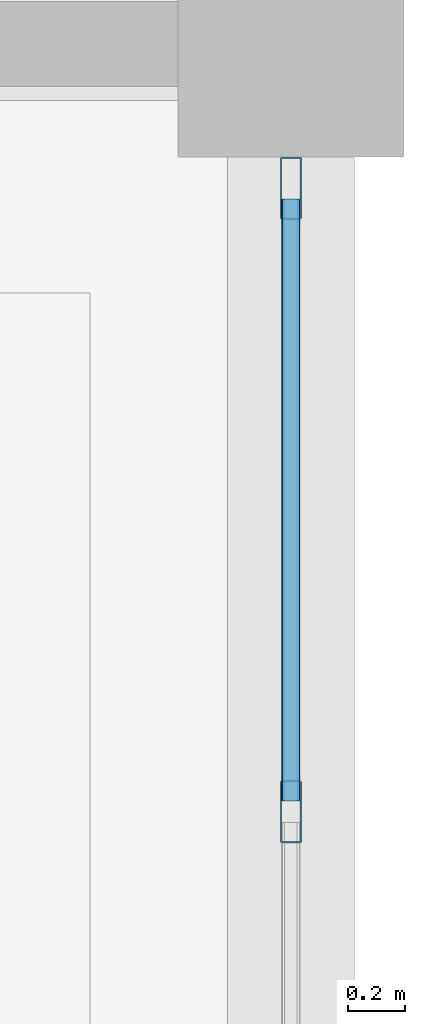
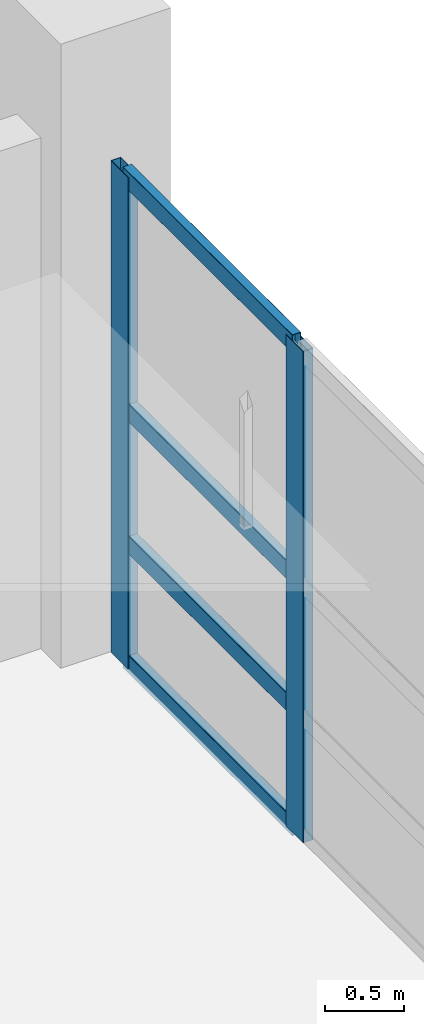
# One storey, part 23 of 46: 6 members, 1 element without a shape of its own.
"""IFC4 building model written with IfcOpenShell, lengths in metres."""

from ifc_helpers import new_model, si_unit, direction, frame, origin, origin_2d, place, context, subcontext, project, spatial, hollow_rectangle, extrude, material, material_profile, profile_set, type_object, element, aggregate, save


model = new_model("IFC4")

# Units and contexts
model_context = context("Model", 3, precision=1e-05, world=origin(), true_north=direction((0.0, 1.0)))
body_context = subcontext(model_context, "Body", "Model", "MODEL_VIEW")
ifc_project = project(units=[si_unit("LENGTHUNIT", "METRE"), si_unit("AREAUNIT", "SQUARE_METRE"), si_unit("VOLUMEUNIT", "CUBIC_METRE"), si_unit("PLANEANGLEUNIT", "RADIAN"), si_unit("MASSUNIT", "GRAM", prefix="KILO")], contexts=[model_context])

# Site, building, storey
site_placement = place(None, origin())
site = spatial("IfcSite", under=ifc_project, at=site_placement, CompositionType="ELEMENT")
building_placement = place(site_placement, origin())
building = spatial("IfcBuilding", under=site, at=building_placement, Name="Khelvaren Railside Concert Hall", CompositionType="ELEMENT")
storey_placement = place(building_placement, frame((0.0, 0.0, 19.800048828125)))
storey = spatial("IfcBuildingStorey", under=building, at=storey_placement, Name="L04", CompositionType="ELEMENT", Elevation=19.800048828125)

# Curtain wall, members
ifc_material_1 = material(Name="Double-glazed clear foyer glass", Category="glass")
curtain_wall_type = type_object("IfcCurtainWallType", Name="CW64", PredefinedType="USERDEFINED", material=ifc_material_1)
curtain_wall_placement = place(storey_placement, origin())
curtain_wall = element("IfcCurtainWall", 1, at=curtain_wall_placement, inside=storey, type_object=curtain_wall_type, Name="Unitised Curtain Wall CW-V5-L04-E-106", ObjectType="UNITISED CURTAIN WALL", PredefinedType="USERDEFINED")
ifc_material_2 = material(Name="Anodised architectural aluminium 6063-T6", Category="aluminium")
ifc_material_profile_1 = material_profile(ifc_material_2, hollow_rectangle(XDim=0.074951171875, YDim=0.219970703125, WallThickness=0.0048828125, InnerFilletRadius=0.0029296875, OuterFilletRadius=0.0048828125, at=origin_2d()), Name="CWM 75x220x5")
ifc_profile_set_1 = profile_set([ifc_material_profile_1], Name="Anodised architectural aluminium 6063-T6")
member_type_1 = type_object("IfcMemberType", Name="CWM13", PredefinedType="MULLION", material=ifc_profile_set_1)
member_1_placement = place(storey_placement, frame((184.0, 113.489990234375, 0.0), z_axis=(0.0, 0.0, 1.0), x_axis=(1.0, 0.0, 0.0)))
member_1 = element("IfcMember", 2, at=member_1_placement, type_object=member_type_1, Name="CW64 mullion 1", PredefinedType="MULLION", context=body_context, shape_type="SweptSolid", body=[
    extrude(hollow_rectangle(XDim=0.074951171875, YDim=0.219970703125, WallThickness=0.0048828125, InnerFilletRadius=0.0029296875, OuterFilletRadius=0.0048828125, at=origin_2d()), origin(), (0.0, 0.0, 1.0), 3.780029296875),
])
member_2_placement = place(storey_placement, frame((184.0, 111.2841796875, 0.0), z_axis=(0.0, 0.0, 1.0), x_axis=(1.0, 0.0, 0.0)))
member_2 = element("IfcMember", 3, at=member_2_placement, type_object=member_type_1, Name="CW64 mullion 2", PredefinedType="MULLION", context=body_context, shape_type="SweptSolid", body=[
    extrude(hollow_rectangle(XDim=0.074951171875, YDim=0.219970703125, WallThickness=0.0048828125, InnerFilletRadius=0.0029296875, OuterFilletRadius=0.0048828125, at=origin_2d()), origin(), (0.0, 0.0, 1.0), 3.780029296875),
])
ifc_material_profile_2 = material_profile(ifc_material_2, hollow_rectangle(XDim=0.06494140625, YDim=0.139892578125, WallThickness=0.00390625, InnerFilletRadius=0.001953125, OuterFilletRadius=0.00390625, at=origin_2d()), Name="CWT 65x140x4")
ifc_profile_set_2 = profile_set([ifc_material_profile_2], Name="Anodised architectural aluminium 6063-T6")
member_type_2 = type_object("IfcMemberType", Name="CWT72", PredefinedType="USERDEFINED", material=ifc_profile_set_2)
member_3_placement = place(storey_placement, frame((184.0, 113.452392578125, 0.032470703125), z_axis=(0.0, -1.0, 0.0), x_axis=(1.0, 0.0, 0.0)))
member_3 = element("IfcMember", 4, at=member_3_placement, type_object=member_type_2, Name="CW64 transom 1.1", ObjectType="TRANSOM", PredefinedType="USERDEFINED", context=body_context, shape_type="SweptSolid", body=[
    extrude(hollow_rectangle(XDim=0.06494140625, YDim=0.139892578125, WallThickness=0.00390625, InnerFilletRadius=0.001953125, OuterFilletRadius=0.00390625, at=origin_2d()), origin(), (0.0, 0.0, 1.0), 2.130615234375),
])
member_4_placement = place(storey_placement, frame((184.0, 113.452392578125, 0.949951171875), z_axis=(0.0, -1.0, 0.0), x_axis=(1.0, 0.0, 0.0)))
member_4 = element("IfcMember", 5, at=member_4_placement, type_object=member_type_2, Name="CW64 transom 1.2", ObjectType="TRANSOM", PredefinedType="USERDEFINED", context=body_context, shape_type="SweptSolid", body=[
    extrude(hollow_rectangle(XDim=0.06494140625, YDim=0.139892578125, WallThickness=0.00390625, InnerFilletRadius=0.001953125, OuterFilletRadius=0.00390625, at=origin_2d()), origin(), (0.0, 0.0, 1.0), 2.130615234375),
])
member_5_placement = place(storey_placement, frame((184.0, 113.452392578125, 1.965576171875), z_axis=(0.0, -1.0, 0.0), x_axis=(1.0, 0.0, 0.0)))
member_5 = element("IfcMember", 6, at=member_5_placement, type_object=member_type_2, Name="CW64 transom 1.3", ObjectType="TRANSOM", PredefinedType="USERDEFINED", context=body_context, shape_type="SweptSolid", body=[
    extrude(hollow_rectangle(XDim=0.06494140625, YDim=0.139892578125, WallThickness=0.00390625, InnerFilletRadius=0.001953125, OuterFilletRadius=0.00390625, at=origin_2d()), origin(), (0.0, 0.0, 1.0), 2.130615234375),
])
member_6_placement = place(storey_placement, frame((184.0, 113.452392578125, 3.74755859375), z_axis=(0.0, -1.0, 0.0), x_axis=(1.0, 0.0, 0.0)))
member_6 = element("IfcMember", 7, at=member_6_placement, type_object=member_type_2, Name="CW64 transom 1.4", ObjectType="TRANSOM", PredefinedType="USERDEFINED", context=body_context, shape_type="SweptSolid", body=[
    extrude(hollow_rectangle(XDim=0.06494140625, YDim=0.139892578125, WallThickness=0.00390625, InnerFilletRadius=0.001953125, OuterFilletRadius=0.00390625, at=origin_2d()), origin(), (0.0, 0.0, 1.0), 2.130615234375),
])
aggregate(curtain_wall, [member_1, member_2, member_3, member_4, member_5, member_6])

save(model, "model.ifc")
